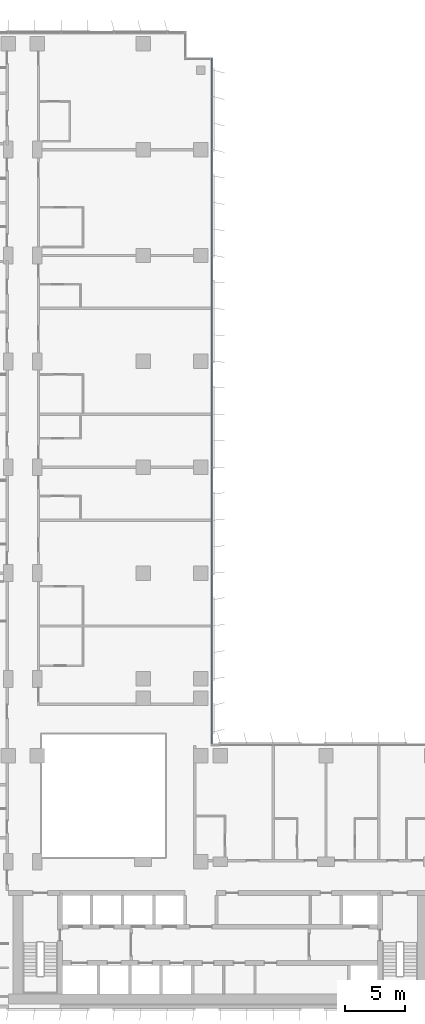
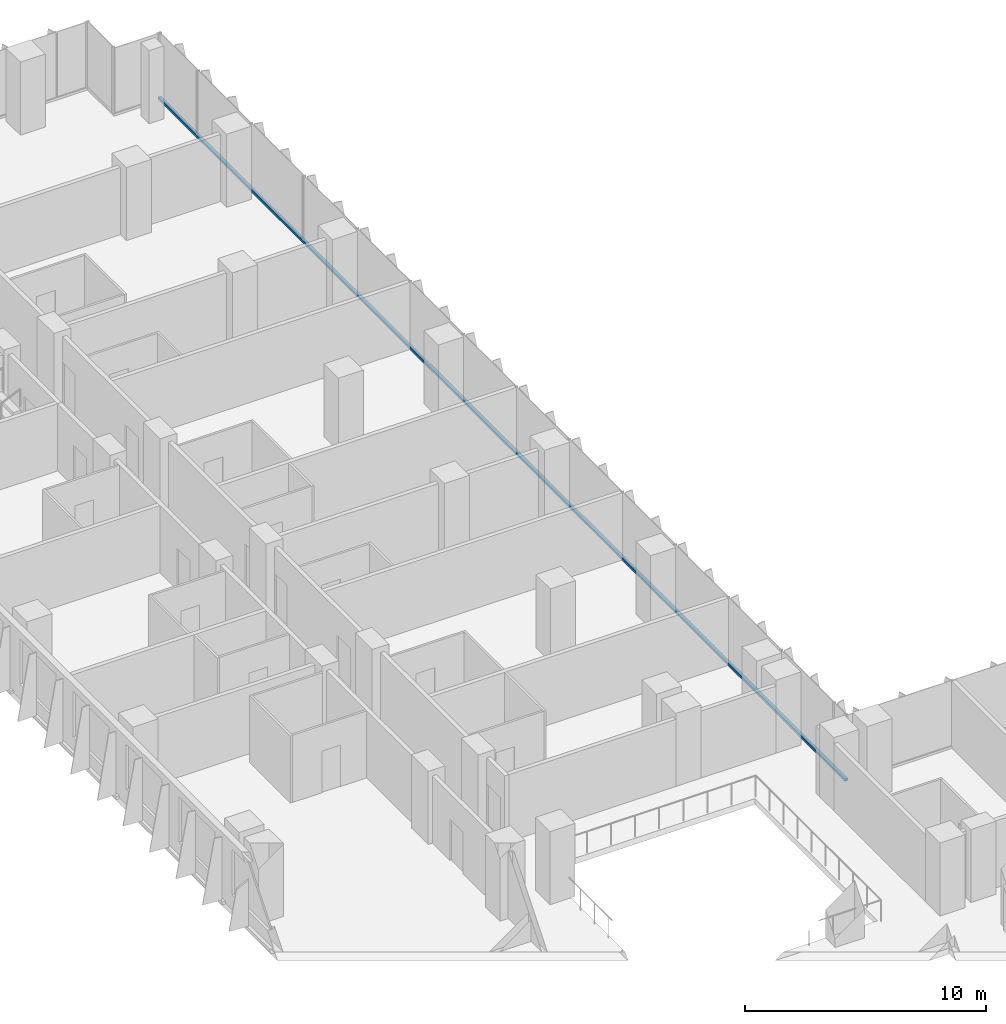
# One storey, part 6 of 22: 1 member, 1 element without a shape of its own.
"""IFC4 building model written with IfcOpenShell, lengths in metres."""

from ifc_helpers import new_model, si_unit, direction, frame, origin, origin_2d, place, context, subcontext, project, spatial, rectangle, extrude, material, material_profile, profile_set, type_object, element, aggregate, save


model = new_model("IFC4")

# Units and contexts
model_context = context("Model", 3, precision=1e-05, world=origin(), true_north=direction((0.0, 1.0)))
body_context = subcontext(model_context, "Body", "Model", "MODEL_VIEW")
ifc_project = project(units=[si_unit("LENGTHUNIT", "METRE"), si_unit("AREAUNIT", "SQUARE_METRE"), si_unit("VOLUMEUNIT", "CUBIC_METRE"), si_unit("PLANEANGLEUNIT", "RADIAN"), si_unit("MASSUNIT", "GRAM", prefix="KILO")], contexts=[model_context])

# Site, building, storey
site_placement = place(None, origin())
site = spatial("IfcSite", under=ifc_project, at=site_placement, CompositionType="ELEMENT")
building_placement = place(site_placement, origin())
building = spatial("IfcBuilding", under=site, at=building_placement, Name="Kemantara Hotel Tower", CompositionType="ELEMENT")
storey_placement = place(building_placement, frame((0.0, 0.0, 111.10009765625)))
storey = spatial("IfcBuildingStorey", under=building, at=storey_placement, Name="L26", CompositionType="ELEMENT", Elevation=111.10009765625)

# Curtain wall, member
ifc_material_1 = material(Name="Low-E tinted double insulated glass 36 mm", Category="glass")
curtain_wall_type = type_object("IfcCurtainWallType", Name="TOWER CURTAIN WALL, FRONT FACES", PredefinedType="USERDEFINED", material=ifc_material_1)
curtain_wall_placement = place(storey_placement, origin())
curtain_wall = element("IfcCurtainWall", 1, at=curtain_wall_placement, inside=storey, type_object=curtain_wall_type, Name="CW4 L26 T2-R14-1", ObjectType="TOWER CURTAIN WALL, FRONT FACES", PredefinedType="USERDEFINED")
ifc_material_2 = material(Name="Aluminium 6063-T6 bronze anodised", Category="aluminium")
ifc_material_profile = material_profile(ifc_material_2, rectangle(XDim=0.14990234375, YDim=0.1201171875, at=origin_2d()), Name="TOWER CURTAIN WALL, FRONT FACES TRANSOM")
ifc_profile_set = profile_set([ifc_material_profile], Name="Aluminium 6063-T6 bronze anodised")
member_type = type_object("IfcMemberType", Name="TOWER CURTAIN WALL, FRONT FACES TRANSOM", PredefinedType="USERDEFINED", material=ifc_profile_set)
member_placement = place(storey_placement, frame((26.72509765625, 22.0, 0.059814453125), z_axis=(0.0, 1.0, 0.0), x_axis=(-1.0, 0.0, 0.0)))
member = element("IfcMember", 2, at=member_placement, type_object=member_type, Name="CW4 sill transom T2-R14-1", ObjectType="TRANSOM", PredefinedType="USERDEFINED", context=body_context, shape_type="SweptSolid", body=[
    extrude(rectangle(XDim=0.14990234375, YDim=0.1201171875, at=origin_2d()), origin(), (0.0, 0.0, 1.0), 57.0),
])
aggregate(curtain_wall, [member])

save(model, "model.ifc")
